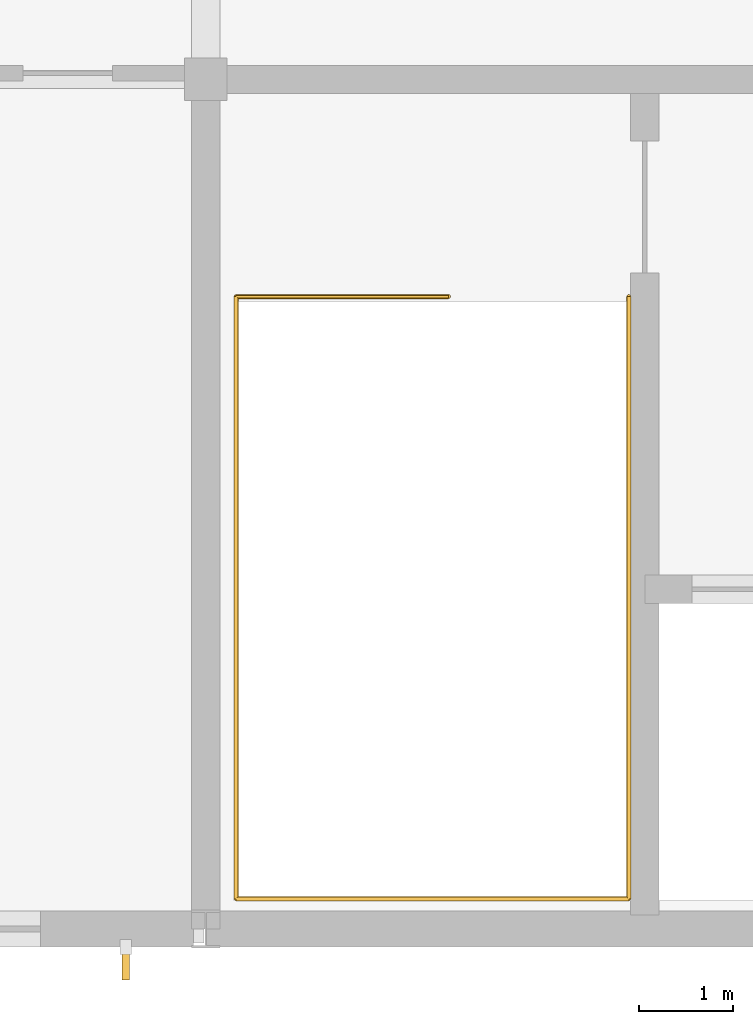
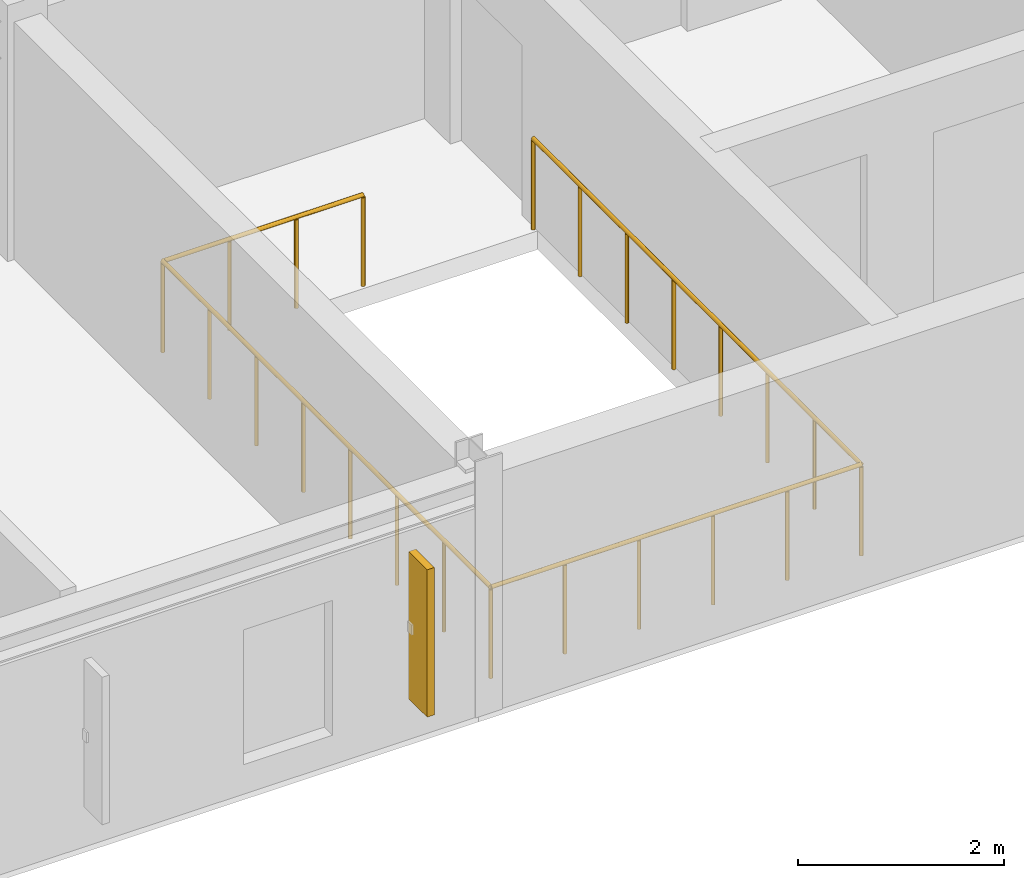
# One storey, part 19 of 20: 1 railing, 1 shading device.
"""IFC4 building model written with IfcOpenShell, lengths in metres."""

import ifcopenshell
import ifcopenshell.guid

model = None  # the IFC model being written
_history = None  # IfcOwnerHistory: only IFC2X3 demands one
_inside = {}  # id of a spatial element -> (the spatial element, [elements in it])
_under = {}  # id of a project, library or spatial element -> (it, [spatial elements below it])
_declared = {}  # id of a project -> (the project, [libraries it declares])
_typed = {}  # id of a type object -> (the type object, [elements of that type])
_made_of = {}  # id of a material, layer set ... -> (it, [elements and type objects made of it])


def new_model(schema):
    """Start an empty IFC model of exactly this schema.

    Asked for "IFC4X3", IfcOpenShell would pick the latest addendum, in which some entities
    have other attributes; the version numbers below select the first issue.
    IFC2X3 requires an IfcOwnerHistory on every rooted entity: one is made here for all.
    """
    global model, _history
    if schema == "IFC4X3":
        model = ifcopenshell.file(schema_version=(4, 3, 0, 0))
    else:
        model = ifcopenshell.file(schema=schema)
    _inside.clear()
    _under.clear()
    _declared.clear()
    _typed.clear()
    _made_of.clear()
    _history = None
    if model.schema == "IFC2X3":
        org = make("IfcOrganization", Name="unknown")
        user = make(
            "IfcPersonAndOrganization",
            ThePerson=make("IfcPerson", FamilyName="unknown"),
            TheOrganization=org,
        )
        app = make(
            "IfcApplication",
            ApplicationDeveloper=org,
            Version="unknown",
            ApplicationFullName="unknown",
            ApplicationIdentifier="unknown",
        )
        _history = make(
            "IfcOwnerHistory",
            OwningUser=user,
            OwningApplication=app,
            ChangeAction="ADDED",
            CreationDate=0,
        )
    return model


def make(cls, **values):
    """One entity of the class cls with the attributes given. An attribute that is None is left unset."""
    return model.create_entity(
        cls, **{name: value for name, value in values.items() if value is not None}
    )


def rooted(cls, **values):
    """An entity with a GlobalId (a new one), such as an element, a storey or a relation."""
    return make(cls, GlobalId=ifcopenshell.guid.new(), OwnerHistory=_history, **values)


def si_unit(unit_type, name, prefix=None):
    """IfcSIUnit, for example si_unit("LENGTHUNIT", "METRE", prefix="MILLI")."""
    return make("IfcSIUnit", UnitType=unit_type, Prefix=prefix, Name=name)


def assignment(units):
    """IfcUnitAssignment: the units of a project."""
    return None if units is None else make("IfcUnitAssignment", Units=units)


def point(xyz):
    """IfcCartesianPoint."""
    return None if xyz is None else make("IfcCartesianPoint", Coordinates=xyz)


def direction(xyz):
    """IfcDirection."""
    return None if xyz is None else make("IfcDirection", DirectionRatios=xyz)


def frame(location, z_axis=None, x_axis=None):
    """IfcAxis2Placement3D, a coordinate frame: its origin and axes. An axis left out is left unset."""
    return make(
        "IfcAxis2Placement3D",
        Location=point(location),
        Axis=direction(z_axis),
        RefDirection=direction(x_axis),
    )


def frame_2d(location, x_axis=None):
    """IfcAxis2Placement2D, a coordinate frame in the plane: its origin and x axis."""
    return make(
        "IfcAxis2Placement2D", Location=point(location), RefDirection=direction(x_axis)
    )


def origin():
    """The frame at (0, 0, 0) with its axes left unset."""
    return frame((0.0, 0.0, 0.0))


def origin_2d():
    """The frame at (0, 0) in the plane with its x axis left unset."""
    return frame_2d((0.0, 0.0))


def place(relative_to, where):
    """IfcLocalPlacement: puts the frame where relative to a parent placement (None: the world)."""
    return make(
        "IfcLocalPlacement", PlacementRelTo=relative_to, RelativePlacement=where
    )


def context(
    kind, dimensions, precision=None, world=None, true_north=None, identifier=None
):
    """IfcGeometricRepresentationContext, for example the 3D "Model" context."""
    return make(
        "IfcGeometricRepresentationContext",
        ContextIdentifier=identifier,
        ContextType=kind,
        CoordinateSpaceDimension=dimensions,
        Precision=precision,
        WorldCoordinateSystem=world,
        TrueNorth=true_north,
    )


def subcontext(parent, identifier, kind, view, scale=None):
    """IfcGeometricRepresentationSubContext, for example "Body" below "Model"."""
    return make(
        "IfcGeometricRepresentationSubContext",
        ContextIdentifier=identifier,
        ContextType=kind,
        ParentContext=parent,
        TargetScale=scale,
        TargetView=view,
    )


def project(units=None, contexts=None):
    """IfcProject with its units and contexts."""
    return rooted(
        "IfcProject",
        Name="project",
        RepresentationContexts=contexts,
        UnitsInContext=assignment(units),
    )


def spatial(cls, under=None, at=None, **own):
    """A site, building, storey or space (cls), placed at a placement, below another one or the project."""
    s = rooted(cls, ObjectPlacement=at, **own)
    if under is not None:
        _under.setdefault(under.id(), (under, []))[1].append(s)
    return s


def profile(cls, at=None, kind="AREA", **sizes):
    """A parametric profile (cls). Its sizes go by their IFC names, for example OverallWidth=200.0."""
    return make(cls, ProfileType=kind, Position=at, **sizes)


def rectangle(**sizes):
    """IfcRectangleProfileDef."""
    return profile("IfcRectangleProfileDef", **sizes)


def circle(**sizes):
    """IfcCircleProfileDef."""
    return profile("IfcCircleProfileDef", **sizes)


def extrude(swept, where, along, depth):
    """IfcExtrudedAreaSolid: the profile swept, set in the frame where, extruded along a direction by depth."""
    return make(
        "IfcExtrudedAreaSolid",
        SweptArea=swept,
        Position=where,
        ExtrudedDirection=direction(along),
        Depth=depth,
    )


def shape(context_of_items, identifier, shape_type, items):
    """IfcShapeRepresentation: the items that make up one representation, for example the "Body"."""
    return make(
        "IfcShapeRepresentation",
        ContextOfItems=context_of_items,
        RepresentationIdentifier=identifier,
        RepresentationType=shape_type,
        Items=items,
    )


def material(Name=None, Category=None):
    """IfcMaterial."""
    return make("IfcMaterial", Name=Name, Category=Category)


def made_of(thing, what):
    """Note that an element or type object is made of a material, layer set ...; save() writes the relation."""
    if what is not None:
        _made_of.setdefault(what.id(), (what, []))[1].append(thing)
    return thing


def type_object(cls, material=None, **own):
    """A type object (cls), such as IfcWallType, which elements share."""
    return made_of(rooted(cls, **own), material)


def element(
    cls,
    number,
    at=None,
    inside=None,
    cuts=None,
    type_object=None,
    material=None,
    context=None,
    identifier="Body",
    shape_type=None,
    held_by="IfcProductDefinitionShape",
    body=None,
    shapes=None,
    **own,
):
    """One element of the class cls, such as IfcWall. Its Tag is "e" and its number.

    at: its placement. inside: the storey or other place that contains it. cuts: it is an
    opening in that element (IfcRelVoidsElement). A single representation is given by context,
    identifier, shape_type and body (its items); several are given by shapes. held_by: the class
    of the entity that holds the representations. save() writes the other relations.
    """
    e = rooted(cls, Tag="e%d" % number, ObjectPlacement=at, **own)
    if body is not None:
        shapes = [shape(context, identifier, shape_type, body)]
    if shapes is not None:
        e.Representation = make(held_by, Representations=shapes)
    if inside is not None:
        _inside.setdefault(inside.id(), (inside, []))[1].append(e)
    if cuts is not None:
        rooted(
            "IfcRelVoidsElement", RelatingBuildingElement=cuts, RelatedOpeningElement=e
        )
    if type_object is not None:
        _typed.setdefault(type_object.id(), (type_object, []))[1].append(e)
    return made_of(e, material)


def aggregate(whole, parts):
    """IfcRelAggregates: a whole, such as a stair, and the parts it consists of."""
    return rooted("IfcRelAggregates", RelatingObject=whole, RelatedObjects=parts)


def save(model, path):
    """Write the relations noted so far, then the file.

    IfcRelAggregates (storeys below a building ...), IfcRelContainedInSpatialStructure (elements
    in a storey), IfcRelDefinesByType, IfcRelAssociatesMaterial and IfcRelDeclares: one each for
    every whole, place, type object, material and project.
    """
    for whole, parts in _under.values():
        aggregate(whole, parts)
    for where, things in _inside.values():
        rooted(
            "IfcRelContainedInSpatialStructure",
            RelatedElements=things,
            RelatingStructure=where,
        )
    for kind, things in _typed.values():
        rooted("IfcRelDefinesByType", RelatedObjects=things, RelatingType=kind)
    for what, things in _made_of.values():
        rooted("IfcRelAssociatesMaterial", RelatedObjects=things, RelatingMaterial=what)
    for by, libraries in _declared.values():
        rooted("IfcRelDeclares", RelatingContext=by, RelatedDefinitions=libraries)
    model.write(path)


model = new_model("IFC4")

# Units and contexts
model_context = context("Model", 3, precision=1e-05, world=origin(), true_north=direction((0.0, 1.0)))
body_context = subcontext(model_context, "Body", "Model", "MODEL_VIEW")
ifc_project = project(units=[si_unit("LENGTHUNIT", "METRE"), si_unit("AREAUNIT", "SQUARE_METRE"), si_unit("VOLUMEUNIT", "CUBIC_METRE"), si_unit("PLANEANGLEUNIT", "RADIAN"), si_unit("MASSUNIT", "GRAM", prefix="KILO")], contexts=[model_context])

# Site, building, storey
site_placement = place(None, origin())
site = spatial("IfcSite", under=ifc_project, at=site_placement, CompositionType="ELEMENT")
building_placement = place(site_placement, origin())
building = spatial("IfcBuilding", under=site, at=building_placement, Name="Palais des Congres Ocreval", CompositionType="ELEMENT")
storey_placement = place(building_placement, frame((0.0, 0.0, 20.639892578125)))
storey = spatial("IfcBuildingStorey", under=building, at=storey_placement, Name="L06", CompositionType="ELEMENT", Elevation=20.639892578125)

# Railing
ifc_material_1 = material(Name="Steel S355", Category="steel")
railing_type = type_object("IfcRailingType", Name="Stairwell Steel Guardrail 1100", PredefinedType="GUARDRAIL", material=ifc_material_1)
railing_placement = place(storey_placement, frame((56.570068359375, 6.699951171875, 0.0)))
element("IfcRailing", 1, at=railing_placement, inside=storey, type_object=railing_type, Name="Top-Landing Stairwell Perimeter Guard ST04 L06", PredefinedType="GUARDRAIL", context=body_context, shape_type="SweptSolid", body=[
    extrude(circle(Radius=0.02392578125, at=origin_2d()), frame((0.0, 0.0, 1.076171875), z_axis=(-1.0, 0.0, 0.0), x_axis=(0.0, -1.0, 0.0)), (0.0, 0.0, 1.0), 2.25),
    extrude(circle(Radius=0.02392578125, at=origin_2d()), frame((-2.25, 0.0, 1.076171875), z_axis=(0.0, -1.0, 0.0), x_axis=(1.0, 0.0, 0.0)), (0.0, 0.0, 1.0), 6.3798828125),
    extrude(circle(Radius=0.02392578125, at=origin_2d()), frame((-2.25, -6.3798828125, 1.076171875), z_axis=(1.0, 0.0, 0.0), x_axis=(0.0, 1.0, 0.0)), (0.0, 0.0, 1.0), 4.159912109375),
    extrude(circle(Radius=0.02392578125, at=origin_2d()), frame((1.909912109375, -6.3798828125, 1.076171875), z_axis=(0.0, 1.0, 0.0), x_axis=(-1.0, 0.0, 0.0)), (0.0, 0.0, 1.0), 6.3798828125),
    extrude(circle(Radius=0.02099609375, at=origin_2d()), origin(), (0.0, 0.0, 1.0), 1.052001953125),
    extrude(circle(Radius=0.02099609375, at=origin_2d()), frame((-0.75, 0.0, 0.0)), (0.0, 0.0, 1.0), 1.052001953125),
    extrude(circle(Radius=0.02099609375, at=origin_2d()), frame((-1.5, 0.0, 0.0)), (0.0, 0.0, 1.0), 1.052001953125),
    extrude(circle(Radius=0.02099609375, at=origin_2d()), frame((-2.25, 0.0, 0.0)), (0.0, 0.0, 1.0), 1.052001953125),
    extrude(circle(Radius=0.02099609375, at=origin_2d()), frame((-2.25, -0.911376953125, 0.0)), (0.0, 0.0, 1.0), 1.052001953125),
    extrude(circle(Radius=0.02099609375, at=origin_2d()), frame((-2.25, -1.82275390625, 0.0)), (0.0, 0.0, 1.0), 1.052001953125),
    extrude(circle(Radius=0.02099609375, at=origin_2d()), frame((-2.25, -2.734130859375, 0.0)), (0.0, 0.0, 1.0), 1.052001953125),
    extrude(circle(Radius=0.02099609375, at=origin_2d()), frame((-2.25, -3.645751953125, 0.0)), (0.0, 0.0, 1.0), 1.052001953125),
    extrude(circle(Radius=0.02099609375, at=origin_2d()), frame((-2.25, -4.55712890625, 0.0)), (0.0, 0.0, 1.0), 1.052001953125),
    extrude(circle(Radius=0.02099609375, at=origin_2d()), frame((-2.25, -5.468505859375, 0.0)), (0.0, 0.0, 1.0), 1.052001953125),
    extrude(circle(Radius=0.02099609375, at=origin_2d()), frame((-2.25, -6.3798828125, 0.0)), (0.0, 0.0, 1.0), 1.052001953125),
    extrude(circle(Radius=0.02099609375, at=origin_2d()), frame((-1.41796875, -6.3798828125, 0.0)), (0.0, 0.0, 1.0), 1.052001953125),
    extrude(circle(Radius=0.02099609375, at=origin_2d()), frame((-0.5859375, -6.3798828125, 0.0)), (0.0, 0.0, 1.0), 1.052001953125),
    extrude(circle(Radius=0.02099609375, at=origin_2d()), frame((0.245849609375, -6.3798828125, 0.0)), (0.0, 0.0, 1.0), 1.052001953125),
    extrude(circle(Radius=0.02099609375, at=origin_2d()), frame((1.077880859375, -6.3798828125, 0.0)), (0.0, 0.0, 1.0), 1.052001953125),
    extrude(circle(Radius=0.02099609375, at=origin_2d()), frame((1.909912109375, -6.3798828125, 0.0)), (0.0, 0.0, 1.0), 1.052001953125),
    extrude(circle(Radius=0.02099609375, at=origin_2d()), frame((1.909912109375, -5.468505859375, 0.0)), (0.0, 0.0, 1.0), 1.052001953125),
    extrude(circle(Radius=0.02099609375, at=origin_2d()), frame((1.909912109375, -4.55712890625, 0.0)), (0.0, 0.0, 1.0), 1.052001953125),
    extrude(circle(Radius=0.02099609375, at=origin_2d()), frame((1.909912109375, -3.645751953125, 0.0)), (0.0, 0.0, 1.0), 1.052001953125),
    extrude(circle(Radius=0.02099609375, at=origin_2d()), frame((1.909912109375, -2.734130859375, 0.0)), (0.0, 0.0, 1.0), 1.052001953125),
    extrude(circle(Radius=0.02099609375, at=origin_2d()), frame((1.909912109375, -1.82275390625, 0.0)), (0.0, 0.0, 1.0), 1.052001953125),
    extrude(circle(Radius=0.02099609375, at=origin_2d()), frame((1.909912109375, -0.911376953125, 0.0)), (0.0, 0.0, 1.0), 1.052001953125),
    extrude(circle(Radius=0.02099609375, at=origin_2d()), frame((1.909912109375, 0.0, 0.0)), (0.0, 0.0, 1.0), 1.052001953125),
])

# Shading device
ifc_material_2 = material(Name="Terracotta ceramic", Category="masonry")
shading_device_type = type_object("IfcShadingDeviceType", Name="Terracotta Ceramic Brise-Soleil Fin 360", PredefinedType="JALOUSIE", material=ifc_material_2)
shading_device_placement = place(storey_placement, frame((53.14990234375, -0.360107421875, 0.47509765625), z_axis=(0.0, 0.0, 1.0), x_axis=(0.0, -1.0, 0.0)))
element("IfcShadingDevice", 2, at=shading_device_placement, inside=storey, type_object=shading_device_type, Name="Ceramic Celosia Sun-Fin SD01", PredefinedType="JALOUSIE", context=body_context, shape_type="SweptSolid", body=[
    extrude(rectangle(XDim=0.360107421875, YDim=0.080078125, at=origin_2d()), origin(), (0.0, 0.0, 1.0), 1.75),
])

save(model, "model.ifc")
